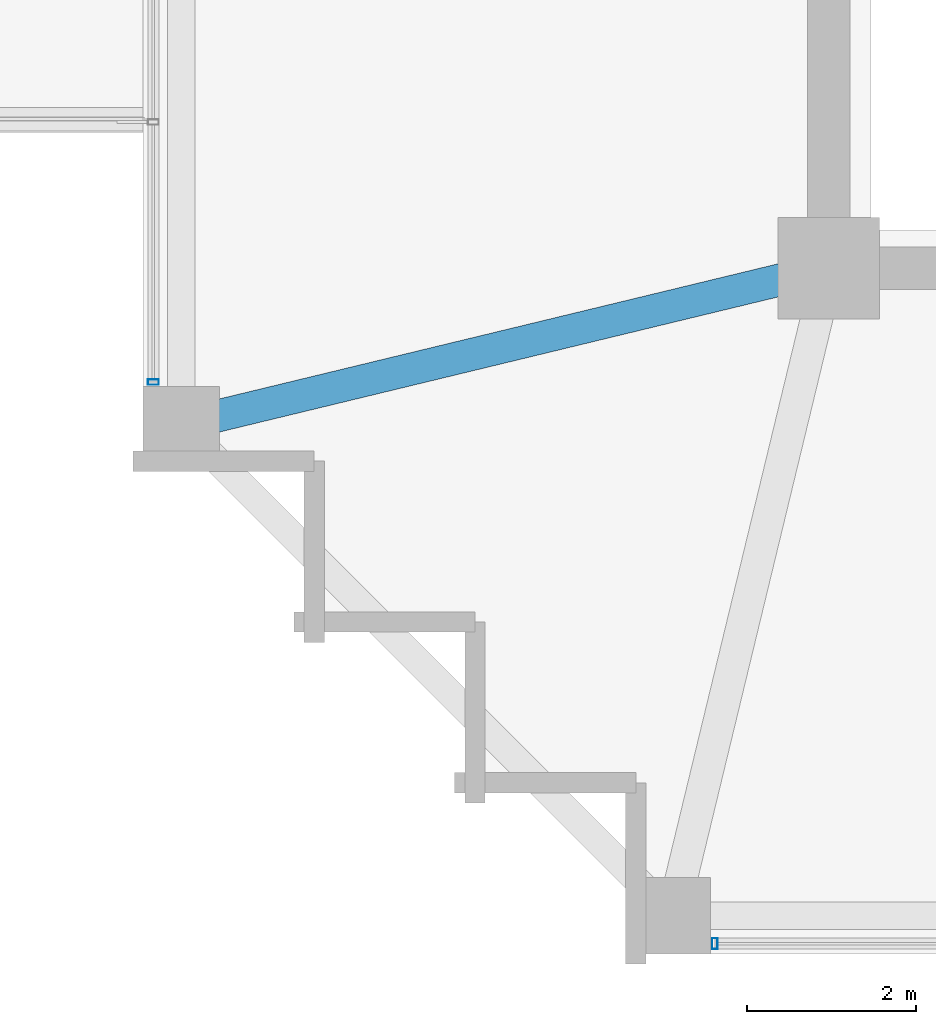
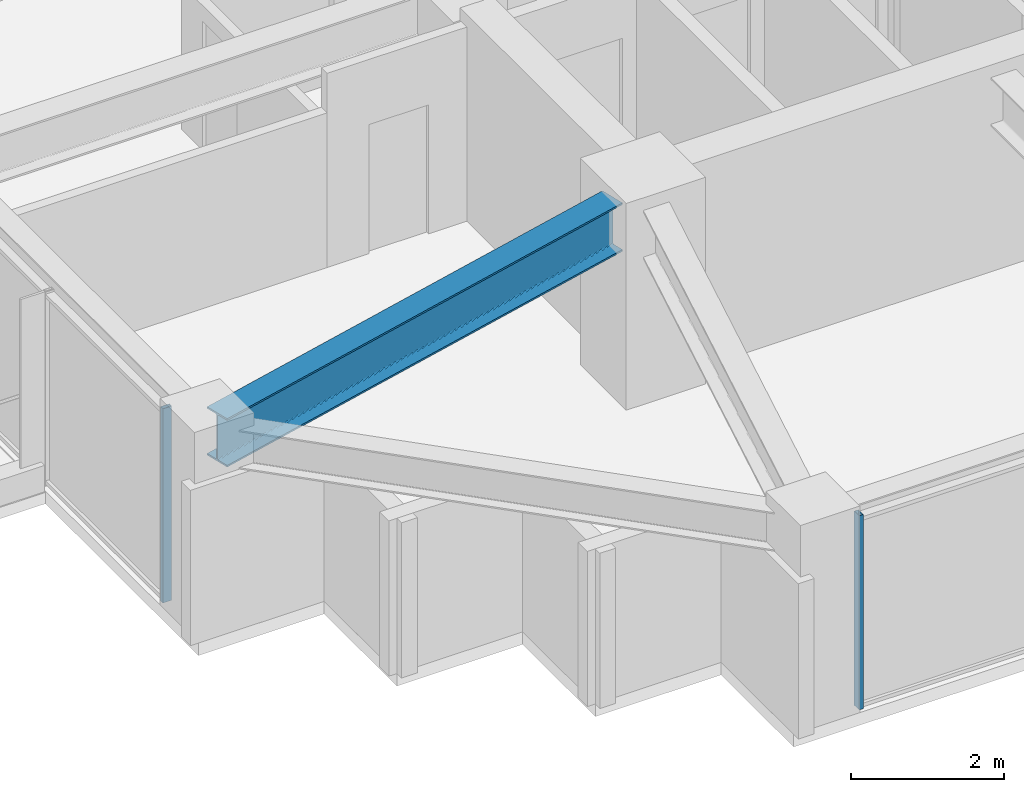
# One storey, part 2 of 32: 2 members, 1 beam, 2 elements without a shape of their own.
"""IFC4 building model written with IfcOpenShell, lengths in metres."""

from ifc_helpers import new_model, si_unit, direction, frame, origin, origin_2d, place, context, subcontext, project, spatial, hollow_rectangle, i_section, extrude, material, material_profile, profile_set, type_object, element, aggregate, save


model = new_model("IFC4")

# Units and contexts
model_context = context("Model", 3, precision=1e-05, world=origin(), true_north=direction((0.0, 1.0)))
body_context = subcontext(model_context, "Body", "Model", "MODEL_VIEW")
ifc_project = project(units=[si_unit("LENGTHUNIT", "METRE"), si_unit("AREAUNIT", "SQUARE_METRE"), si_unit("VOLUMEUNIT", "CUBIC_METRE"), si_unit("PLANEANGLEUNIT", "RADIAN"), si_unit("MASSUNIT", "GRAM", prefix="KILO")], contexts=[model_context])

# Site, building, storey
site_placement = place(None, origin())
site = spatial("IfcSite", under=ifc_project, at=site_placement, CompositionType="ELEMENT")
building_placement = place(site_placement, origin())
building = spatial("IfcBuilding", under=site, at=building_placement, Name="Kolvaren Belvedere", CompositionType="ELEMENT")
storey_placement = place(building_placement, frame((0.0, 0.0, 141.5)))
storey = spatial("IfcBuildingStorey", under=building, at=storey_placement, Name="L41", CompositionType="ELEMENT", Elevation=141.5)

# Beam
ifc_material_1 = material(Name="Structural steel ASTM A992 Grade 50", Category="steel")
ifc_material_profile_1 = material_profile(ifc_material_1, i_section(OverallWidth=0.381103515625, OverallDepth=0.77294921875, WebThickness=0.0166015625, FlangeThickness=0.027099609375, FilletRadius=0.02392578125, at=origin_2d()), Name="W30X173")
ifc_profile_set_1 = profile_set([ifc_material_profile_1], Name="Structural steel ASTM A992 Grade 50")
beam_type = type_object("IfcBeamType", Name="BM-GIRD-W30X173", PredefinedType="BEAM", material=ifc_profile_set_1)
beam_placement = place(storey_placement, frame((-10.4345703125, -10.029296875, 2.71337890625), z_axis=(-0.971980197119, -0.235062749937, 0.0), x_axis=(0.235062749937, -0.971980197119, 0.0)))
element("IfcBeam", 1, at=beam_placement, inside=storey, type_object=beam_type, Name="L41 Corner Core-to-Perimeter Girder CC1-W1", PredefinedType="BEAM", context=body_context, shape_type="SweptSolid", body=[
    extrude(i_section(OverallWidth=0.381103515625, OverallDepth=0.77294921875, WebThickness=0.0166015625, FlangeThickness=0.027099609375, FilletRadius=0.02392578125, at=origin_2d()), origin(), (0.0, 0.0, 1.0), 7.140625),
])

# Curtain wall, member
ifc_material_2 = material(Name="Anodised pale-metal aluminium AA 6063-T6", Category="aluminium")
curtain_wall_type = type_object("IfcCurtainWallType", Name="CW-Z3-WAIST", PredefinedType="NOTDEFINED", material=ifc_material_2)
curtain_wall_1_placement = place(storey_placement, origin())
curtain_wall_1 = element("IfcCurtainWall", 2, at=curtain_wall_1_placement, inside=storey, type_object=curtain_wall_type, Name="L41 Unitised Curtain Wall FCW-L41-S-B3", PredefinedType="NOTDEFINED")
ifc_material_3 = material(Name="Anodised pale-metal aluminium AA 6063-T6", Category="aluminium")
ifc_material_profile_2 = material_profile(ifc_material_3, hollow_rectangle(XDim=0.06494140625, YDim=0.1298828125, WallThickness=0.00390625, at=origin_2d()), Name="ALU-MUL-130X65")
ifc_profile_set_2 = profile_set([ifc_material_profile_2], Name="Anodised pale-metal aluminium AA 6063-T6")
member_type = type_object("IfcMemberType", Name="CW-MUL-130", PredefinedType="MULLION", material=ifc_profile_set_2)
member_1_placement = place(storey_placement, frame((-11.24755859375, -17.8798828125, 0.0), z_axis=(0.0, 0.0, 1.0), x_axis=(1.0, 0.0, 0.0)))
member_1 = element("IfcMember", 3, at=member_1_placement, type_object=member_type, Name="FCW-L41-S-B3 Unitised Mullion 3", PredefinedType="MULLION", context=body_context, shape_type="SweptSolid", body=[
    extrude(hollow_rectangle(XDim=0.06494140625, YDim=0.1298828125, WallThickness=0.00390625, at=origin_2d()), origin(), (0.0, 0.0, 1.0), 3.10009765625),
])
aggregate(curtain_wall_1, [member_1])

curtain_wall_2_placement = place(storey_placement, origin())
curtain_wall_2 = element("IfcCurtainWall", 4, at=curtain_wall_2_placement, inside=storey, type_object=curtain_wall_type, Name="L41 Unitised Curtain Wall FCW-L41-W1", PredefinedType="NOTDEFINED")
member_2_placement = place(storey_placement, frame((-17.8798828125, -11.24755859375, 0.0), z_axis=(0.0, 0.0, 1.0), x_axis=(0.0, 1.0, 0.0)))
member_2 = element("IfcMember", 5, at=member_2_placement, type_object=member_type, Name="FCW-L41-W1 Unitised Mullion 1", PredefinedType="MULLION", context=body_context, shape_type="SweptSolid", body=[
    extrude(hollow_rectangle(XDim=0.06494140625, YDim=0.1298828125, WallThickness=0.00390625, at=origin_2d()), origin(), (0.0, 0.0, 1.0), 3.10009765625),
])
aggregate(curtain_wall_2, [member_2])

save(model, "model.ifc")
